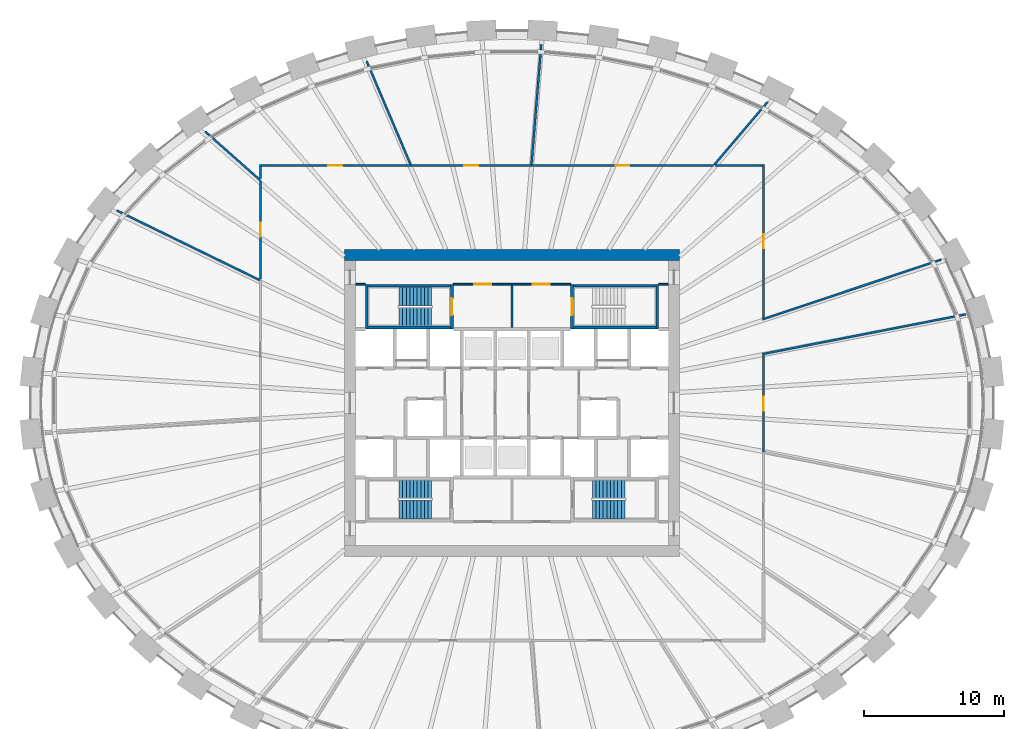
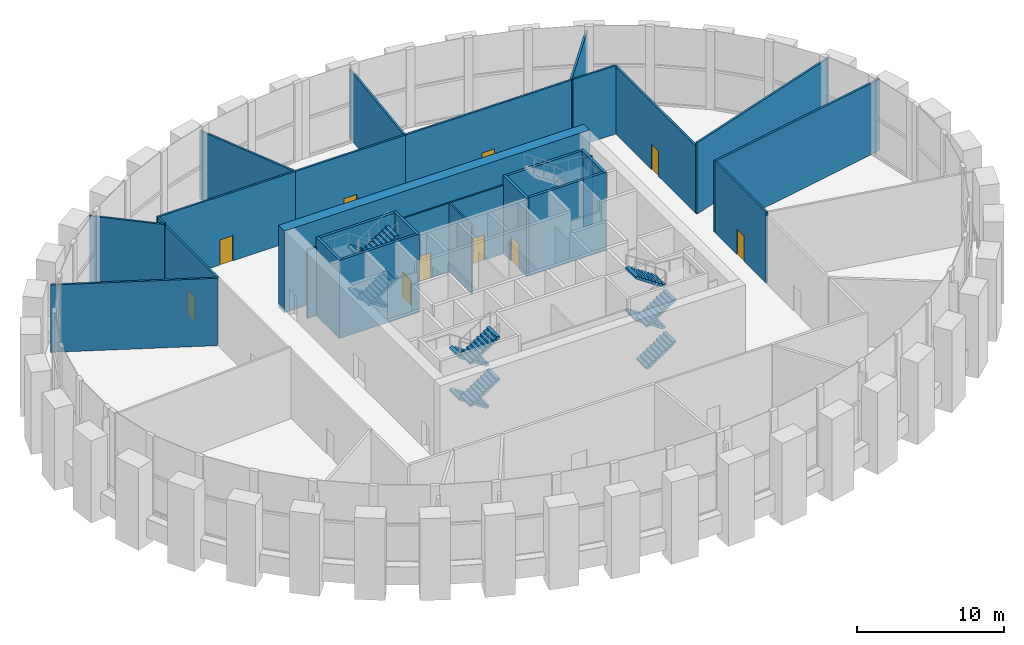
# One storey, part 10 of 16: 28 walls, 12 stair flights, 10 doors, 10 openings, 3 elements without a shape of their own.
"""IFC4 building model written with IfcOpenShell, lengths in metres."""

from ifc_helpers import new_model, si_unit, direction, frame, frame_2d, origin, place, context, subcontext, project, spatial, polyline, rectangle, outline, extrude, source, transform, mapped, material, layer, layer_set, type_object, element, fill, aggregate, save


model = new_model("IFC4")

# Units and contexts
model_context = context("Model", 3, precision=1e-05, world=origin(), true_north=direction((0.0, 1.0)))
body_context = subcontext(model_context, "Body", "Model", "MODEL_VIEW")
ifc_project = project(units=[si_unit("LENGTHUNIT", "METRE"), si_unit("AREAUNIT", "SQUARE_METRE"), si_unit("VOLUMEUNIT", "CUBIC_METRE"), si_unit("PLANEANGLEUNIT", "RADIAN"), si_unit("MASSUNIT", "GRAM", prefix="KILO")], contexts=[model_context])

# Site, building, storey
site_placement = place(None, origin())
site = spatial("IfcSite", under=ifc_project, at=site_placement, CompositionType="ELEMENT")
building_placement = place(site_placement, origin())
building = spatial("IfcBuilding", under=site, at=building_placement, Name="Embergate Tower", CompositionType="ELEMENT")
storey_placement = place(building_placement, frame((0.0, 0.0, 234.60009765625)))
storey = spatial("IfcBuildingStorey", under=building, at=storey_placement, Name="L54", CompositionType="ELEMENT", Elevation=234.60009765625)

# Walls
ifc_material_1 = material(Name="Concrete C70", Category="concrete")
ifc_layer_1 = layer(ifc_material_1, 0.800048828125)
ifc_layer_set_1 = layer_set([ifc_layer_1], Name="Concrete C70")
wall_type_1 = type_object("IfcWallType", Name="Core outer wall C70 800", PredefinedType="SHEAR", material=ifc_layer_set_1)
shared_shape_1 = source(origin(), body_context, "Body", "SweptSolid", [
    extrude(rectangle(XDim=24.0, YDim=0.800048828125, at=frame_2d((12.0, 0.0))), origin(), (0.0, 0.0, 1.0), 6.800048828125),
])
wall_1_placement = place(storey_placement, frame((-12.0, 10.60009765625, -0.300048828125), z_axis=(0.0, 0.0, 1.0), x_axis=(1.0, 0.0, 0.0)))
element("IfcWall", 1, at=wall_1_placement, inside=storey, type_object=wall_type_1, Name="CW-L54-N", PredefinedType="SHEAR", context=body_context, shape_type="MappedRepresentation", body=[
    mapped(shared_shape_1, transform((0.0, 0.0, 0.0))),
])
ifc_material_2 = material(Name="Concrete C50", Category="concrete")
ifc_layer_2 = layer(ifc_material_2, 0.199951171875)
ifc_layer_set_2 = layer_set([ifc_layer_2], Name="Concrete C50")
wall_type_2 = type_object("IfcWallType", Name="Stair enclosure wall reinforced concrete 250", PredefinedType="SHEAR", material=ifc_layer_set_2)
shared_shape_2 = source(origin(), body_context, "Body", "SweptSolid", [
    extrude(rectangle(XDim=6.300048828125, YDim=0.199951171875, at=frame_2d((3.14990234375, 0.0))), origin(), (0.0, 0.0, 1.0), 6.5),
])
for number, where, z_axis, x_axis, name in (
    (2, (-4.199951171875, 5.39990234375, 0.0), (0.0, 0.0, 1.0), (-1.0, 0.0, 0.0), "SE-1 wall"),
    (3, (10.5, 5.39990234375, 0.0), (0.0, 0.0, 1.0), (-1.0, 0.0, 0.0), "SE-1 wall"),
    (4, (-4.199951171875, 8.39990234375, 0.0), (0.0, 0.0, 1.0), (-1.0, 0.0, 0.0), "SE-1 wall"),
    (5, (10.5, 8.39990234375, 0.0), (0.0, 0.0, 1.0), (-1.0, 0.0, 0.0), "SE-1 wall"),
):
    element("IfcWall", number, at=place(storey_placement, frame(where, z_axis=z_axis, x_axis=x_axis)), inside=storey, type_object=wall_type_2, Name=name, PredefinedType="SHEAR", context=body_context, shape_type="MappedRepresentation", body=[
        mapped(shared_shape_2, transform((0.0, 0.0, 0.0))),
    ])

# Wall, opening, door
shared_shape_3 = source(origin(), body_context, "Body", "SweptSolid", [
    extrude(rectangle(XDim=3.199951171875, YDim=0.199951171875, at=frame_2d((1.60009765625, 0.0))), origin(), (0.0, 0.0, 1.0), 6.5),
])
wall_2_placement = place(storey_placement, frame((-4.300048828125, 5.300048828125, 0.0), z_axis=(0.0, 0.0, 1.0), x_axis=(0.0, 1.0, 0.0)))
wall_2 = element("IfcWall", 6, at=wall_2_placement, inside=storey, type_object=wall_type_2, Name="SE-1 wall", PredefinedType="SHEAR", context=body_context, shape_type="MappedRepresentation", body=[
    mapped(shared_shape_3, transform((0.0, 0.0, 0.0))),
])
shared_shape_4 = source(origin(), body_context, "Body", "SweptSolid", [
    extrude(rectangle(XDim=1.199951171875, YDim=2.10009765625, at=frame_2d((0.60009765625, 1.050048828125))), frame((0.0, 0.10986328125, 0.0), z_axis=(0.0, -1.0, 0.0), x_axis=(1.0, 0.0, 0.0)), (0.0, 0.0, 1.0), 0.219970703125),
])
opening_1_placement = place(wall_2_placement, frame((1.0, 0.0, 0.0)))
opening_1 = element("IfcOpeningElement", 7, at=opening_1_placement, cuts=wall_2, Name="Opening IF-2", PredefinedType="OPENING", context=body_context, shape_type="MappedRepresentation", body=[
    mapped(shared_shape_4, transform((0.0, 0.0, 0.0))),
])
ifc_material_3 = material(Name="Stair enclosure door 1200")
door_type_1 = type_object("IfcDoorType", Name="Stair enclosure door 1200", OperationType="SINGLE_SWING_LEFT", PredefinedType="DOOR", material=ifc_material_3)
shared_shape_5 = source(origin(), body_context, "Body", "SweptSolid", [
    extrude(rectangle(XDim=1.199951171875, YDim=2.10009765625, at=frame_2d((0.60009765625, 1.050048828125))), frame((0.0, 0.02490234375, 0.0), z_axis=(0.0, -1.0, 0.0), x_axis=(1.0, 0.0, 0.0)), (0.0, 0.0, 1.0), 0.050048828125),
])
door_1_placement = place(opening_1_placement, origin())
door_1 = element("IfcDoor", 8, at=door_1_placement, inside=storey, type_object=door_type_1, Name="IF-2 door", OperationType="SINGLE_SWING_LEFT", OverallHeight=2.10009765625, OverallWidth=1.199951171875, PredefinedType="DOOR", context=body_context, shape_type="MappedRepresentation", body=[
    mapped(shared_shape_5, transform((0.0, 0.0, 0.0))),
])
fill(opening_1, door_1)

wall_3_placement = place(storey_placement, frame((4.300048828125, 8.5, 0.0), z_axis=(0.0, 0.0, 1.0), x_axis=(0.0, -1.0, 0.0)))
wall_3 = element("IfcWall", 9, at=wall_3_placement, inside=storey, type_object=wall_type_2, Name="SE-1 wall", PredefinedType="SHEAR", context=body_context, shape_type="MappedRepresentation", body=[
    mapped(shared_shape_3, transform((0.0, 0.0, 0.0))),
])
opening_2_placement = place(wall_3_placement, frame((1.0, 0.0, 0.0)))
opening_2 = element("IfcOpeningElement", 10, at=opening_2_placement, cuts=wall_3, Name="Opening IF-2", PredefinedType="OPENING", context=body_context, shape_type="MappedRepresentation", body=[
    mapped(shared_shape_4, transform((0.0, 0.0, 0.0))),
])
door_2_placement = place(opening_2_placement, origin())
door_2 = element("IfcDoor", 11, at=door_2_placement, inside=storey, type_object=door_type_1, Name="IF-2 door", OperationType="SINGLE_SWING_RIGHT", OverallHeight=2.10009765625, OverallWidth=1.199951171875, PredefinedType="DOOR", context=body_context, shape_type="MappedRepresentation", body=[
    mapped(shared_shape_5, transform((0.0, 0.0, 0.0))),
])
fill(opening_2, door_2)

# Wall
ifc_material_4 = material(Name="Core partition blockwork 120")
ifc_layer_3 = layer(ifc_material_4, 0.1201171875)
ifc_layer_set_3 = layer_set([ifc_layer_3], Name="Core partition blockwork 120")
wall_type_3 = type_object("IfcWallType", Name="Core partition blockwork 120", PredefinedType="PARTITIONING", material=ifc_layer_set_3)
shared_shape_6 = source(origin(), body_context, "Body", "SweptSolid", [
    extrude(rectangle(XDim=3.014892578125, YDim=0.1201171875, at=frame_2d((1.50732421875, 0.0))), origin(), (0.0, 0.0, 1.0), 5.699951171875),
])
wall_4_placement = place(storey_placement, frame((0.0, 5.425048828125, 0.0), z_axis=(0.0, 0.0, 1.0), x_axis=(0.0, 1.0, 0.0)))
element("IfcWall", 12, at=wall_4_placement, inside=storey, type_object=wall_type_3, Name="IP-3 wall", PredefinedType="PARTITIONING", context=body_context, shape_type="MappedRepresentation", body=[
    mapped(shared_shape_6, transform((0.0, 0.0, 0.0))),
])

# Wall, openings, doors
shared_shape_7 = source(origin(), body_context, "Body", "SweptSolid", [
    extrude(rectangle(XDim=8.39990234375, YDim=0.1201171875, at=frame_2d((4.199951171875, 0.0))), origin(), (0.0, 0.0, 1.0), 5.699951171875),
])
wall_5_placement = place(storey_placement, frame((4.199951171875, 8.5, 0.0), z_axis=(0.0, 0.0, 1.0), x_axis=(-1.0, 0.0, 0.0)))
wall_5 = element("IfcWall", 13, at=wall_5_placement, inside=storey, type_object=wall_type_3, Name="IP-3 wall", PredefinedType="PARTITIONING", context=body_context, shape_type="MappedRepresentation", body=[
    mapped(shared_shape_7, transform((0.0, 0.0, 0.0))),
])
shared_shape_8 = source(origin(), body_context, "Body", "SweptSolid", [
    extrude(rectangle(XDim=1.199951171875, YDim=2.10009765625, at=frame_2d((0.60009765625, 1.050048828125))), frame((0.0, 0.070068359375, 0.0), z_axis=(0.0, -1.0, 0.0), x_axis=(1.0, 0.0, 0.0)), (0.0, 0.0, 1.0), 0.14013671875),
])
opening_3_placement = place(wall_5_placement, frame((5.699951171875, 0.0, 0.0)))
opening_3 = element("IfcOpeningElement", 14, at=opening_3_placement, cuts=wall_5, Name="Opening IF-3f", PredefinedType="OPENING", context=body_context, shape_type="MappedRepresentation", body=[
    mapped(shared_shape_8, transform((0.0, 0.0, 0.0))),
])
opening_4_placement = place(wall_5_placement, frame((1.5, 0.0, 0.0)))
opening_4 = element("IfcOpeningElement", 15, at=opening_4_placement, cuts=wall_5, Name="Opening IF-3f", PredefinedType="OPENING", context=body_context, shape_type="MappedRepresentation", body=[
    mapped(shared_shape_8, transform((0.0, 0.0, 0.0))),
])
ifc_material_5 = material(Name="Lobby fire door pair 1200")
door_type_2 = type_object("IfcDoorType", Name="Lobby fire door pair 1200", OperationType="DOUBLE_DOOR_SINGLE_SWING", PredefinedType="DOOR", material=ifc_material_5)
door_3_placement = place(opening_3_placement, origin())
door_3 = element("IfcDoor", 16, at=door_3_placement, inside=storey, type_object=door_type_2, Name="IF-3 door", OperationType="DOUBLE_DOOR_SINGLE_SWING", OverallHeight=2.10009765625, OverallWidth=1.199951171875, PredefinedType="DOOR", context=body_context, shape_type="MappedRepresentation", body=[
    mapped(shared_shape_5, transform((0.0, 0.0, 0.0))),
])
fill(opening_3, door_3)
door_4_placement = place(opening_4_placement, origin())
door_4 = element("IfcDoor", 17, at=door_4_placement, inside=storey, type_object=door_type_2, Name="IF-3 door", OperationType="DOUBLE_DOOR_SINGLE_SWING", OverallHeight=2.10009765625, OverallWidth=1.199951171875, PredefinedType="DOOR", context=body_context, shape_type="MappedRepresentation", body=[
    mapped(shared_shape_5, transform((0.0, 0.0, 0.0))),
])
fill(opening_4, door_4)

# Walls
shared_shape_9 = source(origin(), body_context, "Body", "SweptSolid", [
    extrude(rectangle(XDim=3.196044921875, YDim=0.199951171875, at=frame_2d((1.59814453125, 0.0))), origin(), (0.0, 0.0, 1.0), 6.5),
])
for number, where, z_axis, x_axis, name in (
    (18, (-10.39990234375, 8.498046875, 0.0), (0.0, 0.0, 1.0), (0.0, -1.0, 0.0), "SE-1 wall"),
    (19, (10.39990234375, 5.302001953125, 0.0), (0.0, 0.0, 1.0), (0.0, 1.0, 0.0), "SE-1 wall"),
):
    element("IfcWall", number, at=place(storey_placement, frame(where, z_axis=z_axis, x_axis=x_axis)), inside=storey, type_object=wall_type_2, Name=name, PredefinedType="SHEAR", context=body_context, shape_type="MappedRepresentation", body=[
        mapped(shared_shape_9, transform((0.0, 0.0, 0.0))),
    ])
shared_shape_10 = source(origin(), body_context, "Body", "SweptSolid", [
    extrude(rectangle(XDim=0.697998046875, YDim=0.1201171875, at=frame_2d((0.34912109375, 0.0))), origin(), (0.0, 0.0, 1.0), 5.699951171875),
])
for number, where, z_axis, x_axis, name in (
    (20, (10.501953125, 8.5, 0.0), (0.0, 0.0, 1.0), (1.0, 0.0, 0.0), "IP-3 wall"),
    (21, (-11.199951171875, 8.5, 0.0), (0.0, 0.0, 1.0), (1.0, 0.0, 0.0), "IP-3 wall"),
):
    element("IfcWall", number, at=place(storey_placement, frame(where, z_axis=z_axis, x_axis=x_axis)), inside=storey, type_object=wall_type_3, Name=name, PredefinedType="PARTITIONING", context=body_context, shape_type="MappedRepresentation", body=[
        mapped(shared_shape_10, transform((0.0, 0.0, 0.0))),
    ])
ifc_material_6 = material(Name="Plasterboard on steel stud", Category="steel")
ifc_layer_4 = layer(ifc_material_6, 0.14990234375)
ifc_layer_set_4 = layer_set([ifc_layer_4], Name="Plasterboard on steel stud")
wall_type_4 = type_object("IfcWallType", Name="Partition wall 150 board", PredefinedType="PARTITIONING", material=ifc_layer_set_4)
shared_shape_11 = source(origin(), body_context, "Body", "SweptSolid", [
    extrude(rectangle(XDim=11.3818359375, YDim=0.14990234375, at=frame_2d((5.69091796875, 0.0))), origin(), (0.0, 0.0, 1.0), 5.599853515625),
])
wall_6_placement = place(storey_placement, frame((-18.06689453125, 8.802978515625, 0.0), z_axis=(0.0, 0.0, 1.0), x_axis=(-0.898982939137, 0.437983647115, 0.0)))
element("IfcWall", 22, at=wall_6_placement, inside=storey, type_object=wall_type_4, Name="Partition 006", PredefinedType="PARTITIONING", context=body_context, shape_type="MappedRepresentation", body=[
    mapped(shared_shape_11, transform((0.0, 0.0, 0.0))),
])

# Wall, opening, door
shared_shape_12 = source(origin(), body_context, "Body", "SweptSolid", [
    extrude(rectangle(XDim=7.057861328125, YDim=0.14990234375, at=frame_2d((3.52880859375, 0.0))), origin(), (0.0, 0.0, 1.0), 5.599853515625),
])
wall_7_placement = place(storey_placement, frame((-18.0, 8.8701171875, 0.0), z_axis=(0.0, 0.0, 1.0), x_axis=(0.0, 1.0, 0.0)))
wall_7 = element("IfcWall", 23, at=wall_7_placement, inside=storey, type_object=wall_type_4, Name="Partition 007", PredefinedType="PARTITIONING", context=body_context, shape_type="MappedRepresentation", body=[
    mapped(shared_shape_12, transform((0.0, 0.0, 0.0))),
])
shared_shape_13 = source(origin(), body_context, "Body", "SweptSolid", [
    extrude(rectangle(XDim=1.0, YDim=2.10009765625, at=frame_2d((0.5, 1.050048828125))), frame((0.0, 0.0849609375, 0.0), z_axis=(0.0, -1.0, 0.0), x_axis=(1.0, 0.0, 0.0)), (0.0, 0.0, 1.0), 0.169921875),
])
opening_5_placement = place(wall_7_placement, frame((3.029052734375, 0.0, 0.0)))
opening_5 = element("IfcOpeningElement", 24, at=opening_5_placement, cuts=wall_7, Name="Opening DS-123", PredefinedType="OPENING", context=body_context, shape_type="MappedRepresentation", body=[
    mapped(shared_shape_13, transform((0.0, 0.0, 0.0))),
])
ifc_material_7 = material(Name="Timber door leaf, steel frame", Category="steel")
door_type_3 = type_object("IfcDoorType", Name="Single door 1000x2100", OperationType="SINGLE_SWING_LEFT", PredefinedType="DOOR", material=ifc_material_7)
shared_shape_14 = source(origin(), body_context, "Body", "SweptSolid", [
    extrude(rectangle(XDim=1.0, YDim=2.10009765625, at=frame_2d((0.5, 1.050048828125))), frame((0.0, 0.02490234375, 0.0), z_axis=(0.0, -1.0, 0.0), x_axis=(1.0, 0.0, 0.0)), (0.0, 0.0, 1.0), 0.050048828125),
])
door_5_placement = place(opening_5_placement, origin())
door_5 = element("IfcDoor", 25, at=door_5_placement, inside=storey, type_object=door_type_3, Name="Door to Staff room", OperationType="SINGLE_SWING_LEFT", OverallHeight=2.10009765625, OverallWidth=1.0, PredefinedType="DOOR", context=body_context, shape_type="MappedRepresentation", body=[
    mapped(shared_shape_14, transform((0.0, 0.0, 0.0))),
])
fill(opening_5, door_5)

# Walls
shared_shape_15 = source(origin(), body_context, "Body", "SweptSolid", [
    extrude(rectangle(XDim=5.212646484375, YDim=0.14990234375, at=frame_2d((2.6064453125, 0.0))), origin(), (0.0, 0.0, 1.0), 5.699951171875),
])
wall_8_placement = place(storey_placement, frame((-18.055908203125, 15.97802734375, 0.0), z_axis=(0.0, 0.0, 1.0), x_axis=(-0.748970636368, 0.662603188838, 0.0)))
element("IfcWall", 26, at=wall_8_placement, inside=storey, type_object=wall_type_4, Name="Partition 008", PredefinedType="PARTITIONING", context=body_context, shape_type="MappedRepresentation", body=[
    mapped(shared_shape_15, transform((0.0, 0.0, 0.0))),
])
shared_shape_16 = source(origin(), body_context, "Body", "SweptSolid", [
    extrude(rectangle(XDim=0.84716796875, YDim=0.14990234375, at=frame_2d((0.423583984375, 0.0))), origin(), (0.0, 0.0, 1.0), 5.699951171875),
])
wall_9_placement = place(storey_placement, frame((-18.0, 16.077880859375, 0.0), z_axis=(0.0, 0.0, 1.0), x_axis=(0.0, 1.0, 0.0)))
element("IfcWall", 27, at=wall_9_placement, inside=storey, type_object=wall_type_4, Name="Partition 009", PredefinedType="PARTITIONING", context=body_context, shape_type="MappedRepresentation", body=[
    mapped(shared_shape_16, transform((0.0, 0.0, 0.0))),
])

# Wall, opening, door
shared_shape_17 = source(origin(), body_context, "Body", "SweptSolid", [
    extrude(rectangle(XDim=10.846923828125, YDim=0.14990234375, at=frame_2d((5.42333984375, 0.0))), origin(), (0.0, 0.0, 1.0), 5.699951171875),
])
wall_10_placement = place(storey_placement, frame((-18.074951171875, 17.0, 0.0), z_axis=(0.0, 0.0, 1.0), x_axis=(1.0, 0.0, 0.0)))
wall_10 = element("IfcWall", 28, at=wall_10_placement, inside=storey, type_object=wall_type_4, Name="Partition 010", PredefinedType="PARTITIONING", context=body_context, shape_type="MappedRepresentation", body=[
    mapped(shared_shape_17, transform((0.0, 0.0, 0.0))),
])
opening_6_placement = place(wall_10_placement, frame((4.923095703125, 0.0, 0.0)))
opening_6 = element("IfcOpeningElement", 29, at=opening_6_placement, cuts=wall_10, Name="Opening DS-122", PredefinedType="OPENING", context=body_context, shape_type="MappedRepresentation", body=[
    mapped(shared_shape_13, transform((0.0, 0.0, 0.0))),
])
door_6_placement = place(opening_6_placement, origin())
door_6 = element("IfcDoor", 30, at=door_6_placement, inside=storey, type_object=door_type_3, Name="Door to Business centre", OperationType="SINGLE_SWING_LEFT", OverallHeight=2.10009765625, OverallWidth=1.0, PredefinedType="DOOR", context=body_context, shape_type="MappedRepresentation", body=[
    mapped(shared_shape_14, transform((0.0, 0.0, 0.0))),
])
fill(opening_6, door_6)

# Wall
shared_shape_18 = source(origin(), body_context, "Body", "SweptSolid", [
    extrude(rectangle(XDim=8.004150390625, YDim=0.14990234375, at=frame_2d((4.001953125, 0.0))), origin(), (0.0, 0.0, 1.0), 5.699951171875),
])
wall_11_placement = place(storey_placement, frame((-7.264892578125, 17.0869140625, 0.0), z_axis=(0.0, 0.0, 1.0), x_axis=(-0.391304040963, 0.920261456069, 0.0)))
element("IfcWall", 31, at=wall_11_placement, inside=storey, type_object=wall_type_4, Name="Partition 015", PredefinedType="PARTITIONING", context=body_context, shape_type="MappedRepresentation", body=[
    mapped(shared_shape_18, transform((0.0, 0.0, 0.0))),
])

# Wall, opening, door
shared_shape_19 = source(origin(), body_context, "Body", "SweptSolid", [
    extrude(rectangle(XDim=8.616943359375, YDim=0.14990234375, at=frame_2d((4.30859375, 0.0))), origin(), (0.0, 0.0, 1.0), 5.699951171875),
])
wall_12_placement = place(storey_placement, frame((-7.22802734375, 17.0, 0.0), z_axis=(0.0, 0.0, 1.0), x_axis=(1.0, 0.0, 0.0)))
wall_12 = element("IfcWall", 32, at=wall_12_placement, inside=storey, type_object=wall_type_4, Name="Partition 016", PredefinedType="PARTITIONING", context=body_context, shape_type="MappedRepresentation", body=[
    mapped(shared_shape_19, transform((0.0, 0.0, 0.0))),
])
opening_7_placement = place(wall_12_placement, frame((3.80810546875, 0.0, 0.0)))
opening_7 = element("IfcOpeningElement", 33, at=opening_7_placement, cuts=wall_12, Name="Opening DS-121", PredefinedType="OPENING", context=body_context, shape_type="MappedRepresentation", body=[
    mapped(shared_shape_13, transform((0.0, 0.0, 0.0))),
])
door_7_placement = place(opening_7_placement, origin())
door_7 = element("IfcDoor", 34, at=door_7_placement, inside=storey, type_object=door_type_3, Name="Door to Staff room", OperationType="SINGLE_SWING_LEFT", OverallHeight=2.10009765625, OverallWidth=1.0, PredefinedType="DOOR", context=body_context, shape_type="MappedRepresentation", body=[
    mapped(shared_shape_14, transform((0.0, 0.0, 0.0))),
])
fill(opening_7, door_7)

# Wall
shared_shape_20 = source(origin(), body_context, "Body", "SweptSolid", [
    extrude(rectangle(XDim=8.626708984375, YDim=0.14990234375, at=frame_2d((4.3134765625, 0.0))), origin(), (0.0, 0.0, 1.0), 5.699951171875),
])
wall_13_placement = place(storey_placement, frame((1.39501953125, 17.074951171875, 0.0), z_axis=(0.0, 0.0, 1.0), x_axis=(0.081363730664, 0.996684475314, 0.0)))
element("IfcWall", 35, at=wall_13_placement, inside=storey, type_object=wall_type_4, Name="Partition 019", PredefinedType="PARTITIONING", context=body_context, shape_type="MappedRepresentation", body=[
    mapped(shared_shape_20, transform((0.0, 0.0, 0.0))),
])

# Wall, opening, door
shared_shape_21 = source(origin(), body_context, "Body", "SweptSolid", [
    extrude(rectangle(XDim=13.04296875, YDim=0.14990234375, at=frame_2d((6.521484375, 0.0))), origin(), (0.0, 0.0, 1.0), 5.699951171875),
])
wall_14_placement = place(storey_placement, frame((1.388916015625, 17.0, 0.0), z_axis=(0.0, 0.0, 1.0), x_axis=(1.0, 0.0, 0.0)))
wall_14 = element("IfcWall", 36, at=wall_14_placement, inside=storey, type_object=wall_type_4, Name="Partition 020", PredefinedType="PARTITIONING", context=body_context, shape_type="MappedRepresentation", body=[
    mapped(shared_shape_21, transform((0.0, 0.0, 0.0))),
])
opening_8_placement = place(wall_14_placement, frame((6.02197265625, 0.0, 0.0)))
opening_8 = element("IfcOpeningElement", 37, at=opening_8_placement, cuts=wall_14, Name="Opening DS-120", PredefinedType="OPENING", context=body_context, shape_type="MappedRepresentation", body=[
    mapped(shared_shape_13, transform((0.0, 0.0, 0.0))),
])
door_8_placement = place(opening_8_placement, origin())
door_8 = element("IfcDoor", 38, at=door_8_placement, inside=storey, type_object=door_type_3, Name="Door to Business centre", OperationType="SINGLE_SWING_LEFT", OverallHeight=2.10009765625, OverallWidth=1.0, PredefinedType="DOOR", context=body_context, shape_type="MappedRepresentation", body=[
    mapped(shared_shape_14, transform((0.0, 0.0, 0.0))),
])
fill(opening_8, door_8)

# Walls
shared_shape_22 = source(origin(), body_context, "Body", "SweptSolid", [
    extrude(rectangle(XDim=3.343017578125, YDim=0.14990234375, at=frame_2d((1.67138671875, 0.0))), origin(), (0.0, 0.0, 1.0), 5.699951171875),
])
wall_15_placement = place(storey_placement, frame((14.58203125, 17.0, 0.0), z_axis=(0.0, 0.0, 1.0), x_axis=(1.0, 0.0, 0.0)))
element("IfcWall", 39, at=wall_15_placement, inside=storey, type_object=wall_type_4, Name="Partition 023", PredefinedType="PARTITIONING", context=body_context, shape_type="MappedRepresentation", body=[
    mapped(shared_shape_22, transform((0.0, 0.0, 0.0))),
])
shared_shape_23 = source(origin(), body_context, "Body", "SweptSolid", [
    extrude(rectangle(XDim=5.89501953125, YDim=0.14990234375, at=frame_2d((2.947509765625, 0.0))), origin(), (0.0, 0.0, 1.0), 5.699951171875),
])
wall_16_placement = place(storey_placement, frame((14.48095703125, 17.056884765625, 0.0), z_axis=(0.0, 0.0, 1.0), x_axis=(0.64714817695, 0.762364241731, 0.0)))
element("IfcWall", 40, at=wall_16_placement, inside=storey, type_object=wall_type_4, Name="Partition 024", PredefinedType="PARTITIONING", context=body_context, shape_type="MappedRepresentation", body=[
    mapped(shared_shape_23, transform((0.0, 0.0, 0.0))),
])

# Wall, opening, door
shared_shape_24 = source(origin(), body_context, "Body", "SweptSolid", [
    extrude(rectangle(XDim=6.965087890625, YDim=0.14990234375, at=frame_2d((3.482421875, 0.0))), origin(), (0.0, 0.0, 1.0), 5.911865234375),
])
wall_17_placement = place(storey_placement, frame((18.0, 3.445068359375, 0.0), z_axis=(0.0, 0.0, 1.0), x_axis=(0.0, -1.0, 0.0)))
wall_17 = element("IfcWall", 41, at=wall_17_placement, inside=storey, type_object=wall_type_4, Name="Partition 030", PredefinedType="PARTITIONING", context=body_context, shape_type="MappedRepresentation", body=[
    mapped(shared_shape_24, transform((0.0, 0.0, 0.0))),
])
opening_9_placement = place(wall_17_placement, frame((2.98193359375, 0.0, 0.0)))
opening_9 = element("IfcOpeningElement", 42, at=opening_9_placement, cuts=wall_17, Name="Opening DS-132", PredefinedType="OPENING", context=body_context, shape_type="MappedRepresentation", body=[
    mapped(shared_shape_13, transform((0.0, 0.0, 0.0))),
])
door_9_placement = place(opening_9_placement, origin())
door_9 = element("IfcDoor", 43, at=door_9_placement, inside=storey, type_object=door_type_3, Name="Door to Staff room", OperationType="SINGLE_SWING_LEFT", OverallHeight=2.10009765625, OverallWidth=1.0, PredefinedType="DOOR", context=body_context, shape_type="MappedRepresentation", body=[
    mapped(shared_shape_14, transform((0.0, 0.0, 0.0))),
])
fill(opening_9, door_9)

# Wall
shared_shape_25 = source(origin(), body_context, "Body", "SweptSolid", [
    extrude(rectangle(XDim=14.838623046875, YDim=0.14990234375, at=frame_2d((7.41943359375, 0.0))), origin(), (0.0, 0.0, 1.0), 5.911865234375),
])
wall_18_placement = place(storey_placement, frame((17.926025390625, 3.506103515625, 0.0), z_axis=(0.0, 0.0, 1.0), x_axis=(0.981422568413, 0.191858651639, 0.0)))
element("IfcWall", 44, at=wall_18_placement, inside=storey, type_object=wall_type_4, Name="Partition 031", PredefinedType="PARTITIONING", context=body_context, shape_type="MappedRepresentation", body=[
    mapped(shared_shape_25, transform((0.0, 0.0, 0.0))),
])

# Wall, opening, door
shared_shape_26 = source(origin(), body_context, "Body", "SweptSolid", [
    extrude(rectangle(XDim=10.974853515625, YDim=0.14990234375, at=frame_2d((5.4873046875, 0.0))), origin(), (0.0, 0.0, 1.0), 5.599853515625),
])
wall_19_placement = place(storey_placement, frame((18.0, 17.074951171875, 0.0), z_axis=(0.0, 0.0, 1.0), x_axis=(0.0, -1.0, 0.0)))
wall_19 = element("IfcWall", 45, at=wall_19_placement, inside=storey, type_object=wall_type_4, Name="Partition 032", PredefinedType="PARTITIONING", context=body_context, shape_type="MappedRepresentation", body=[
    mapped(shared_shape_26, transform((0.0, 0.0, 0.0))),
])
opening_10_placement = place(wall_19_placement, frame((4.987060546875, 0.0, 0.0)))
opening_10 = element("IfcOpeningElement", 46, at=opening_10_placement, cuts=wall_19, Name="Opening DS-119", PredefinedType="OPENING", context=body_context, shape_type="MappedRepresentation", body=[
    mapped(shared_shape_13, transform((0.0, 0.0, 0.0))),
])
door_10_placement = place(opening_10_placement, origin())
door_10 = element("IfcDoor", 47, at=door_10_placement, inside=storey, type_object=door_type_3, Name="Door to Tenant meeting suite", OperationType="SINGLE_SWING_LEFT", OverallHeight=2.10009765625, OverallWidth=1.0, PredefinedType="DOOR", context=body_context, shape_type="MappedRepresentation", body=[
    mapped(shared_shape_14, transform((0.0, 0.0, 0.0))),
])
fill(opening_10, door_10)

# Wall
shared_shape_27 = source(origin(), body_context, "Body", "SweptSolid", [
    extrude(rectangle(XDim=13.50341796875, YDim=0.14990234375, at=frame_2d((6.751708984375, 0.0))), origin(), (0.0, 0.0, 1.0), 5.911865234375),
])
wall_20_placement = place(storey_placement, frame((30.736083984375, 10.27099609375, 0.0), z_axis=(0.0, 0.0, 1.0), x_axis=(-0.948438935901, -0.316959910505, 0.0)))
element("IfcWall", 48, at=wall_20_placement, inside=storey, type_object=wall_type_4, Name="Partition 033", PredefinedType="PARTITIONING", context=body_context, shape_type="MappedRepresentation", body=[
    mapped(shared_shape_27, transform((0.0, 0.0, 0.0))),
])

# Stair, stair flights
ifc_material_8 = material(Name="Exit stair")
stair_type = type_object("IfcStairType", Name="Exit stair", PredefinedType="HALF_TURN_STAIR", material=ifc_material_8)
stair_1_placement = place(storey_placement, origin())
stair_1 = element("IfcStair", 49, at=stair_1_placement, inside=storey, type_object=stair_type, Name="L54 Exit stair 1", PredefinedType="HALF_TURN_STAIR")
ifc_material_9 = material(Name="Concrete C40", Category="concrete")
stair_flight_type = type_object("IfcStairFlightType", Name="Stair flight reinforced concrete", PredefinedType="STRAIGHT", material=ifc_material_9)
shared_shape_28 = source(origin(), body_context, "Body", "SweptSolid", [
    extrude(outline(polyline([(0.0, 0.0), (0.0, 0.175048828125), (0.260009765625, 0.175048828125), (0.260009765625, 0.35009765625), (0.52001953125, 0.35009765625), (0.52001953125, 0.52490234375), (0.780029296875, 0.52490234375), (0.780029296875, 0.699951171875), (1.0400390625, 0.699951171875), (1.0400390625, 0.875), (1.300048828125, 0.875), (1.300048828125, 1.050048828125), (1.56005859375, 1.050048828125), (1.56005859375, 1.22509765625), (1.820068359375, 1.22509765625), (1.820068359375, 1.39990234375), (2.080078125, 1.39990234375), (2.080078125, 1.574951171875), (2.340087890625, 1.574951171875), (2.340087890625, 1.75), (2.340087890625, 1.394287109375), (0.2685546875, 0.0), (0.0, 0.0)])), frame((0.0, 0.675048828125, 0.0), z_axis=(0.0, -1.0, 0.0), x_axis=(1.0, 0.0, 0.0)), (0.0, 0.0, 1.0), 1.35009765625),
])
stair_flight_1_placement = place(storey_placement, frame((-5.75, 7.625, 0.0), z_axis=(0.0, 0.0, 1.0), x_axis=(-1.0, 0.0, 0.0)))
stair_flight_1 = element("IfcStairFlight", 50, at=stair_flight_1_placement, type_object=stair_flight_type, Name="ST1 flight 1", NumberOfRisers=10, NumberOfTreads=9, PredefinedType="STRAIGHT", RiserHeight=0.175, TreadLength=0.26, context=body_context, shape_type="MappedRepresentation", body=[
    mapped(shared_shape_28, transform((0.0, 0.0, 0.0))),
])
stair_flight_2_placement = place(storey_placement, frame((-8.090087890625, 6.175048828125, 1.75), z_axis=(0.0, 0.0, 1.0), x_axis=(1.0, 0.0, 0.0)))
stair_flight_2 = element("IfcStairFlight", 51, at=stair_flight_2_placement, type_object=stair_flight_type, Name="ST1 flight 2", NumberOfRisers=10, NumberOfTreads=9, PredefinedType="STRAIGHT", RiserHeight=0.175, TreadLength=0.26, context=body_context, shape_type="MappedRepresentation", body=[
    mapped(shared_shape_28, transform((0.0, 0.0, 0.0))),
])
stair_flight_3_placement = place(storey_placement, frame((-5.75, 7.625, 3.5), z_axis=(0.0, 0.0, 1.0), x_axis=(-1.0, 0.0, 0.0)))
stair_flight_3 = element("IfcStairFlight", 52, at=stair_flight_3_placement, type_object=stair_flight_type, Name="ST1 flight 3", NumberOfRisers=10, NumberOfTreads=9, PredefinedType="STRAIGHT", RiserHeight=0.175, TreadLength=0.26, context=body_context, shape_type="MappedRepresentation", body=[
    mapped(shared_shape_28, transform((0.0, 0.0, 0.0))),
])
stair_flight_4_placement = place(storey_placement, frame((-8.090087890625, 6.175048828125, 5.25), z_axis=(0.0, 0.0, 1.0), x_axis=(1.0, 0.0, 0.0)))
stair_flight_4 = element("IfcStairFlight", 53, at=stair_flight_4_placement, type_object=stair_flight_type, Name="ST1 flight 4", NumberOfRisers=10, NumberOfTreads=9, PredefinedType="STRAIGHT", RiserHeight=0.175, TreadLength=0.26, context=body_context, shape_type="MappedRepresentation", body=[
    mapped(shared_shape_28, transform((0.0, 0.0, 0.0))),
])
aggregate(stair_1, [stair_flight_1, stair_flight_2, stair_flight_3, stair_flight_4])

stair_2_placement = place(storey_placement, origin())
stair_2 = element("IfcStair", 54, at=stair_2_placement, inside=storey, type_object=stair_type, Name="L54 Exit stair 3", PredefinedType="HALF_TURN_STAIR")
stair_flight_5_placement = place(storey_placement, frame((-5.75, -6.175048828125, 0.0), z_axis=(0.0, 0.0, 1.0), x_axis=(-1.0, 0.0, 0.0)))
stair_flight_5 = element("IfcStairFlight", 55, at=stair_flight_5_placement, type_object=stair_flight_type, Name="ST3 flight 1", NumberOfRisers=10, NumberOfTreads=9, PredefinedType="STRAIGHT", RiserHeight=0.175, TreadLength=0.26, context=body_context, shape_type="MappedRepresentation", body=[
    mapped(shared_shape_28, transform((0.0, 0.0, 0.0))),
])
stair_flight_6_placement = place(storey_placement, frame((-8.090087890625, -7.625, 1.75), z_axis=(0.0, 0.0, 1.0), x_axis=(1.0, 0.0, 0.0)))
stair_flight_6 = element("IfcStairFlight", 56, at=stair_flight_6_placement, type_object=stair_flight_type, Name="ST3 flight 2", NumberOfRisers=10, NumberOfTreads=9, PredefinedType="STRAIGHT", RiserHeight=0.175, TreadLength=0.26, context=body_context, shape_type="MappedRepresentation", body=[
    mapped(shared_shape_28, transform((0.0, 0.0, 0.0))),
])
stair_flight_7_placement = place(storey_placement, frame((-5.75, -6.175048828125, 3.5), z_axis=(0.0, 0.0, 1.0), x_axis=(-1.0, 0.0, 0.0)))
stair_flight_7 = element("IfcStairFlight", 57, at=stair_flight_7_placement, type_object=stair_flight_type, Name="ST3 flight 3", NumberOfRisers=10, NumberOfTreads=9, PredefinedType="STRAIGHT", RiserHeight=0.175, TreadLength=0.26, context=body_context, shape_type="MappedRepresentation", body=[
    mapped(shared_shape_28, transform((0.0, 0.0, 0.0))),
])
stair_flight_8_placement = place(storey_placement, frame((-8.090087890625, -7.625, 5.25), z_axis=(0.0, 0.0, 1.0), x_axis=(1.0, 0.0, 0.0)))
stair_flight_8 = element("IfcStairFlight", 58, at=stair_flight_8_placement, type_object=stair_flight_type, Name="ST3 flight 4", NumberOfRisers=10, NumberOfTreads=9, PredefinedType="STRAIGHT", RiserHeight=0.175, TreadLength=0.26, context=body_context, shape_type="MappedRepresentation", body=[
    mapped(shared_shape_28, transform((0.0, 0.0, 0.0))),
])
aggregate(stair_2, [stair_flight_5, stair_flight_6, stair_flight_7, stair_flight_8])

stair_3_placement = place(storey_placement, origin())
stair_3 = element("IfcStair", 59, at=stair_3_placement, inside=storey, type_object=stair_type, Name="L54 Exit stair 4", PredefinedType="HALF_TURN_STAIR")
stair_flight_9_placement = place(storey_placement, frame((5.75, -7.625, 0.0), z_axis=(0.0, 0.0, 1.0), x_axis=(1.0, 0.0, 0.0)))
stair_flight_9 = element("IfcStairFlight", 60, at=stair_flight_9_placement, type_object=stair_flight_type, Name="ST4 flight 1", NumberOfRisers=10, NumberOfTreads=9, PredefinedType="STRAIGHT", RiserHeight=0.175, TreadLength=0.26, context=body_context, shape_type="MappedRepresentation", body=[
    mapped(shared_shape_28, transform((0.0, 0.0, 0.0))),
])
stair_flight_10_placement = place(storey_placement, frame((8.090087890625, -6.175048828125, 1.75), z_axis=(0.0, 0.0, 1.0), x_axis=(-1.0, 0.0, 0.0)))
stair_flight_10 = element("IfcStairFlight", 61, at=stair_flight_10_placement, type_object=stair_flight_type, Name="ST4 flight 2", NumberOfRisers=10, NumberOfTreads=9, PredefinedType="STRAIGHT", RiserHeight=0.175, TreadLength=0.26, context=body_context, shape_type="MappedRepresentation", body=[
    mapped(shared_shape_28, transform((0.0, 0.0, 0.0))),
])
stair_flight_11_placement = place(storey_placement, frame((5.75, -7.625, 3.5), z_axis=(0.0, 0.0, 1.0), x_axis=(1.0, 0.0, 0.0)))
stair_flight_11 = element("IfcStairFlight", 62, at=stair_flight_11_placement, type_object=stair_flight_type, Name="ST4 flight 3", NumberOfRisers=10, NumberOfTreads=9, PredefinedType="STRAIGHT", RiserHeight=0.175, TreadLength=0.26, context=body_context, shape_type="MappedRepresentation", body=[
    mapped(shared_shape_28, transform((0.0, 0.0, 0.0))),
])
stair_flight_12_placement = place(storey_placement, frame((8.090087890625, -6.175048828125, 5.25), z_axis=(0.0, 0.0, 1.0), x_axis=(-1.0, 0.0, 0.0)))
stair_flight_12 = element("IfcStairFlight", 63, at=stair_flight_12_placement, type_object=stair_flight_type, Name="ST4 flight 4", NumberOfRisers=10, NumberOfTreads=9, PredefinedType="STRAIGHT", RiserHeight=0.175, TreadLength=0.26, context=body_context, shape_type="MappedRepresentation", body=[
    mapped(shared_shape_28, transform((0.0, 0.0, 0.0))),
])
aggregate(stair_3, [stair_flight_9, stair_flight_10, stair_flight_11, stair_flight_12])

save(model, "model.ifc")
